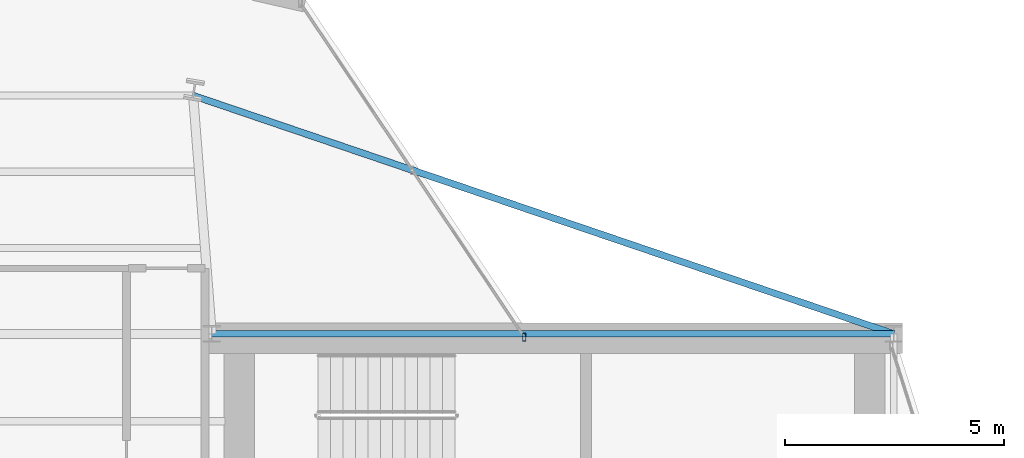
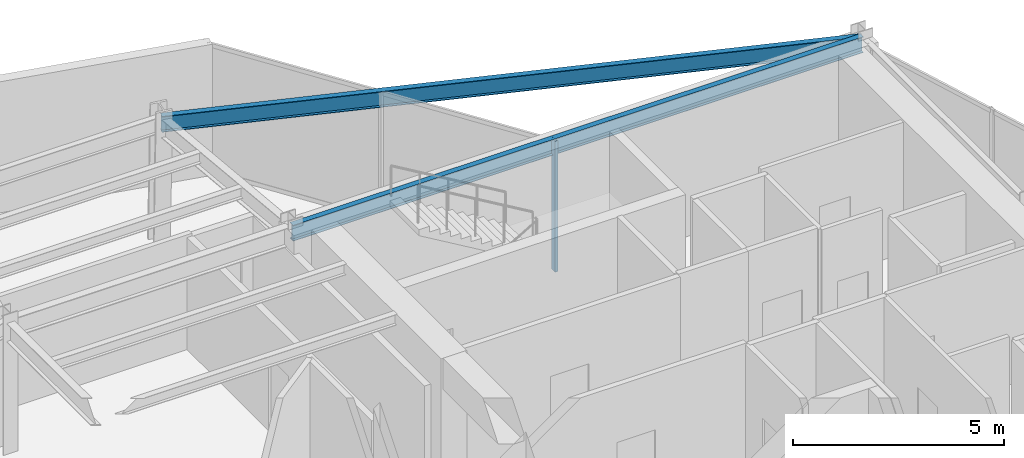
# One storey, part 16 of 21: 2 beams, 1 member, 1 element without a shape of its own.
"""IFC4 building model written with IfcOpenShell, lengths in metres."""

from ifc_helpers import new_model, si_unit, direction, frame, origin, origin_2d, place, context, subcontext, project, spatial, hollow_rectangle, i_section, extrude, material, layer, layer_set, material_profile, profile_set, type_object, element, aggregate, save


model = new_model("IFC4")

# Units and contexts
model_context = context("Model", 3, precision=1e-05, world=origin(), true_north=direction((0.0, 1.0)))
body_context = subcontext(model_context, "Body", "Model", "MODEL_VIEW")
ifc_project = project(units=[si_unit("LENGTHUNIT", "METRE"), si_unit("AREAUNIT", "SQUARE_METRE"), si_unit("VOLUMEUNIT", "CUBIC_METRE"), si_unit("PLANEANGLEUNIT", "RADIAN"), si_unit("MASSUNIT", "GRAM", prefix="KILO")], contexts=[model_context])

# Site, building, storey
site_placement = place(None, origin())
site = spatial("IfcSite", under=ifc_project, at=site_placement, CompositionType="ELEMENT")
building_placement = place(site_placement, origin())
building = spatial("IfcBuilding", under=site, at=building_placement, Name="Veymaron Broadcast Tower", CompositionType="ELEMENT")
storey_placement = place(building_placement, frame((0.0, 0.0, 212.10009765625)))
storey = spatial("IfcBuildingStorey", under=building, at=storey_placement, Name="L49", CompositionType="ELEMENT", Elevation=212.10009765625)

# Beams
ifc_material_1 = material(Name="Structural steel ASTM A992 Gr 50", Category="steel")
ifc_material_profile_1 = material_profile(ifc_material_1, i_section(OverallWidth=0.154052734375, OverallDepth=0.458984375, WebThickness=0.009033203125, FlangeThickness=0.015380859375, at=origin_2d()), Name="W460X68")
ifc_profile_set_1 = profile_set([ifc_material_profile_1], Name="Structural steel ASTM A992 Gr 50")
beam_type = type_object("IfcBeamType", Name="BM-SP2", PredefinedType="SPANDREL", material=ifc_profile_set_1)
beam_1_placement = place(storey_placement, frame((39.0, 32.0, 3.560302734375), z_axis=(1.0, 0.0, 0.0), x_axis=(0.0, 1.0, 0.0)))
element("IfcBeam", 1, at=beam_1_placement, inside=storey, type_object=beam_type, Name="L49 primary structural floor girder", PredefinedType="SPANDREL", context=body_context, shape_type="SweptSolid", body=[
    extrude(i_section(OverallWidth=0.154052734375, OverallDepth=0.458984375, WebThickness=0.009033203125, FlangeThickness=0.015380859375, at=origin_2d()), origin(), (0.0, 0.0, 1.0), 15.60009765625),
])
beam_2_placement = place(storey_placement, frame((54.60009765625, 32.0, 3.560302734375), z_axis=(-0.946747509746, 0.3219769445, 0.0), x_axis=(-0.3219769445, -0.946747509746, 0.0)))
element("IfcBeam", 2, at=beam_2_placement, inside=storey, type_object=beam_type, Name="L49 primary structural floor girder", PredefinedType="SPANDREL", context=body_context, shape_type="SweptSolid", body=[
    extrude(i_section(OverallWidth=0.154052734375, OverallDepth=0.458984375, WebThickness=0.009033203125, FlangeThickness=0.015380859375, at=origin_2d()), origin(), (0.0, 0.0, 1.0), 16.926513671875),
])

# Curtain wall, member
ifc_material_2 = material(Name="Anodised aluminium AA 6063-T6 and laminated low-E dark glass", Category="aluminium")
ifc_layer = layer(ifc_material_2, 0.179931640625)
ifc_layer_set = layer_set([ifc_layer], Name="Anodised aluminium AA 6063-T6 and laminated low-E dark glass")
curtain_wall_type = type_object("IfcCurtainWallType", Name="CW-SYS-05", PredefinedType="NOTDEFINED", material=ifc_layer_set)
curtain_wall_placement = place(storey_placement, origin())
curtain_wall = element("IfcCurtainWall", 3, at=curtain_wall_placement, inside=storey, type_object=curtain_wall_type, Name="L49 dark-glass curtain wall CW-L49-E5-1", PredefinedType="NOTDEFINED")
ifc_material_3 = material(Name="Anodised aluminium AA 6063-T6", Category="aluminium")
ifc_material_profile_2 = material_profile(ifc_material_3, hollow_rectangle(XDim=0.074951171875, YDim=0.179931640625, WallThickness=0.0048828125, at=origin_2d()), Name="AL180X75X5")
ifc_profile_set_2 = profile_set([ifc_material_profile_2], Name="Anodised aluminium AA 6063-T6")
member_type = type_object("IfcMemberType", Name="CW-MUL-02", PredefinedType="MULLION", material=ifc_profile_set_2)
member_placement = place(storey_placement, frame((46.147705078125, 31.922119140625, 0.0), z_axis=(0.0, 0.0, 1.0), x_axis=(1.0, 0.0, 0.0)))
member = element("IfcMember", 4, at=member_placement, type_object=member_type, Name="CW-L49-E5-1 mullion 0", PredefinedType="MULLION", context=body_context, shape_type="SweptSolid", body=[
    extrude(hollow_rectangle(XDim=0.074951171875, YDim=0.179931640625, WallThickness=0.0048828125, at=origin_2d()), origin(), (0.0, 0.0, 1.0), 3.789794921875),
])
aggregate(curtain_wall, [member])

save(model, "model.ifc")
